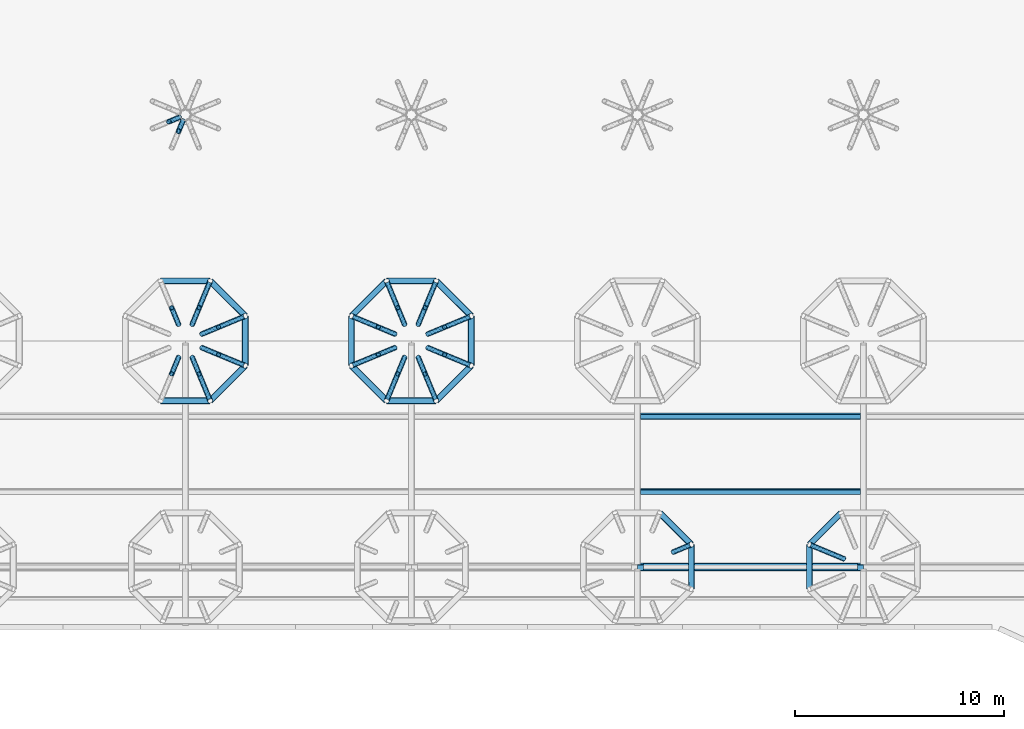
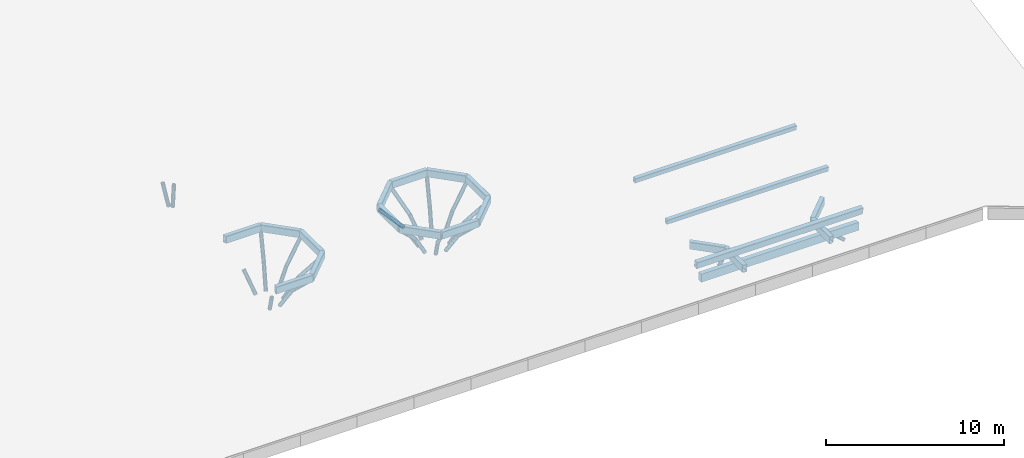
# One storey, part 9 of 56: 30 members, 21 beams.
"""IFC4 building model written with IfcOpenShell, lengths in metres."""

from ifc_helpers import new_model, si_unit, direction, frame, origin, origin_2d, place, context, subcontext, project, spatial, rectangle, hollow_rectangle, hollow_circle, extrude, clip, halfspace, material, material_profile, profile_set, type_object, element, save


model = new_model("IFC4")

# Units and contexts
model_context = context("Model", 3, precision=1e-05, world=origin(), true_north=direction((0.0, 1.0)))
body_context = subcontext(model_context, "Body", "Model", "MODEL_VIEW")
ifc_project = project(units=[si_unit("LENGTHUNIT", "METRE"), si_unit("AREAUNIT", "SQUARE_METRE"), si_unit("VOLUMEUNIT", "CUBIC_METRE"), si_unit("PLANEANGLEUNIT", "RADIAN"), si_unit("MASSUNIT", "GRAM", prefix="KILO")], contexts=[model_context])

# Site, building, storey
site_placement = place(None, origin())
site = spatial("IfcSite", under=ifc_project, at=site_placement, CompositionType="ELEMENT")
building_placement = place(site_placement, origin())
building = spatial("IfcBuilding", under=site, at=building_placement, Name="Magnolia Steps Interchange", CompositionType="ELEMENT")
storey_placement = place(building_placement, frame((0.0, 0.0, 8.699951171875)))
storey = spatial("IfcBuildingStorey", under=building, at=storey_placement, Name="L02", CompositionType="ELEMENT", Elevation=8.699951171875)

# Beams
ifc_material_1 = material(Name="Concrete C40", Category="concrete")
ifc_material_profile_1 = material_profile(ifc_material_1, rectangle(XDim=0.300048828125, YDim=0.550048828125, at=origin_2d()), Name="RC300x550")
ifc_profile_set_1 = profile_set([ifc_material_profile_1], Name="Concrete C40")
beam_type_1 = type_object("IfcBeamType", Name="Hall header sill beam 300x550", PredefinedType="BEAM", material=ifc_profile_set_1)
beam_1_placement = place(storey_placement, frame((96.679931640625, 42.39990234375, 1.02392578125), z_axis=(1.0, 0.0, 0.0), x_axis=(0.0, 1.0, 0.0)))
element("IfcBeam", 1, at=beam_1_placement, inside=storey, type_object=beam_type_1, Name="Hall header sill beam S5", PredefinedType="BEAM", context=body_context, shape_type="SweptSolid", body=[
    extrude(rectangle(XDim=0.300048828125, YDim=0.550048828125, at=origin_2d()), origin(), (0.0, 0.0, 1.0), 10.239990234375),
])
ifc_material_2 = material(Name="Steel Q355B", Category="steel")
ifc_material_profile_2 = material_profile(ifc_material_2, hollow_rectangle(XDim=0.300048828125, YDim=0.5, WallThickness=0.01611328125, InnerFilletRadius=0.01611328125, OuterFilletRadius=0.031982421875, at=origin_2d()), Name="RHS500x300x16")
ifc_profile_set_2 = profile_set([ifc_material_profile_2], Name="Steel Q355B")
beam_type_2 = type_object("IfcBeamType", Name="Ring beam RHS500x300x16", PredefinedType="BEAM", material=ifc_profile_set_2)
beam_2_placement = place(storey_placement, frame((77.6640625, 54.38623046875, 3.424560546875), z_axis=(-0.707106781187, 0.707106781187, 0.0), x_axis=(-0.707106781187, -0.707106781187, 0.0)))
element("IfcBeam", 2, at=beam_2_placement, inside=storey, type_object=beam_type_2, Name="Ring beam TH03B", PredefinedType="BEAM", context=body_context, shape_type="Clipping", body=[
    clip(clip(extrude(hollow_rectangle(XDim=0.300048828125, YDim=0.5, WallThickness=0.01611328125, InnerFilletRadius=0.01611328125, OuterFilletRadius=0.031982421875, at=origin_2d()), origin(), (0.0, 0.0, 1.0), 2.37255859375), halfspace(frame((0.0, 0.0, 0.0), z_axis=(0.382683433, 0.0, -0.923879532), x_axis=(0.923879532, 0.0, 0.382683433)), False)), halfspace(frame((0.0, 0.0, 2.372674707), z_axis=(0.382683433, 0.0, 0.923879532), x_axis=(0.923879532, 0.0, -0.382683433)), False)),
])
for number, where, z_axis, x_axis, name in (
    (3, (75.986328125, 56.06396484375, 3.424560546875), (-1.0, 0.0, 0.0), (0.0, -1.0, 0.0), "Ring beam TH03B"),
    (4, (73.61376953125, 50.3359375, 3.424560546875), (1.0, 0.0, 0.0), (0.0, 1.0, 0.0), "Ring beam TH03B"),
):
    element("IfcBeam", number, at=place(storey_placement, frame(where, z_axis=z_axis, x_axis=x_axis)), inside=storey, type_object=beam_type_2, Name=name, PredefinedType="BEAM", context=body_context, shape_type="Clipping", body=[
        clip(clip(extrude(hollow_rectangle(XDim=0.300048828125, YDim=0.5, WallThickness=0.01611328125, InnerFilletRadius=0.01611328125, OuterFilletRadius=0.031982421875, at=origin_2d()), origin(), (0.0, 0.0, 1.0), 2.37255859375), halfspace(frame((0.0, 0.0, 0.0), z_axis=(0.382683432, 0.0, -0.923879533), x_axis=(0.923879533, 0.0, 0.382683432)), False)), halfspace(frame((0.0, 0.0, 2.372558594), z_axis=(0.382683432, 0.0, 0.923879533), x_axis=(0.923879533, 0.0, -0.382683432)), False)),
    ])
beam_3_placement = place(storey_placement, frame((75.986328125, 50.3359375, 3.424560546875), z_axis=(0.707106781187, 0.707106781187, 0.0), x_axis=(-0.707106781187, 0.707106781187, 0.0)))
element("IfcBeam", 5, at=beam_3_placement, inside=storey, type_object=beam_type_2, Name="Ring beam TH03B", PredefinedType="BEAM", context=body_context, shape_type="Clipping", body=[
    clip(clip(extrude(hollow_rectangle(XDim=0.300048828125, YDim=0.5, WallThickness=0.01611328125, InnerFilletRadius=0.01611328125, OuterFilletRadius=0.031982421875, at=origin_2d()), origin(), (0.0, 0.0, 1.0), 2.37255859375), halfspace(frame((0.0, 0.0, 0.0), z_axis=(0.382683433, 0.0, -0.923879532), x_axis=(0.923879532, 0.0, 0.382683433)), False)), halfspace(frame((0.0, 0.0, 2.372674707), z_axis=(0.382683433, 0.0, 0.923879532), x_axis=(0.923879532, 0.0, -0.382683433)), False)),
])
beam_4_placement = place(storey_placement, frame((77.6640625, 52.013671875, 3.424560546875), z_axis=(0.0, 1.0, 0.0), x_axis=(-1.0, 0.0, 0.0)))
element("IfcBeam", 6, at=beam_4_placement, inside=storey, type_object=beam_type_2, Name="Ring beam TH03B", PredefinedType="BEAM", context=body_context, shape_type="Clipping", body=[
    clip(clip(extrude(hollow_rectangle(XDim=0.300048828125, YDim=0.5, WallThickness=0.01611328125, InnerFilletRadius=0.01611328125, OuterFilletRadius=0.031982421875, at=origin_2d()), origin(), (0.0, 0.0, 1.0), 2.37255859375), halfspace(frame((0.0, 0.0, 0.0), z_axis=(0.382683432, 0.0, -0.923879533), x_axis=(0.923879533, 0.0, 0.382683432)), False)), halfspace(frame((0.0, 0.0, 2.372558594), z_axis=(0.382683432, 0.0, 0.923879533), x_axis=(0.923879533, 0.0, -0.382683432)), False)),
])
beam_5_placement = place(storey_placement, frame((88.464111328125, 54.38623046875, 3.424560546875), z_axis=(-0.707106781187, 0.707106781187, 0.0), x_axis=(-0.707106781187, -0.707106781187, 0.0)))
element("IfcBeam", 7, at=beam_5_placement, inside=storey, type_object=beam_type_2, Name="Ring beam TH04B", PredefinedType="BEAM", context=body_context, shape_type="Clipping", body=[
    clip(clip(extrude(hollow_rectangle(XDim=0.300048828125, YDim=0.5, WallThickness=0.01611328125, InnerFilletRadius=0.01611328125, OuterFilletRadius=0.031982421875, at=origin_2d()), origin(), (0.0, 0.0, 1.0), 2.37255859375), halfspace(frame((0.0, 0.0, 0.0), z_axis=(0.382683433, 0.0, -0.923879532), x_axis=(0.923879532, 0.0, 0.382683433)), False)), halfspace(frame((0.0, 0.0, 2.372674707), z_axis=(0.382683433, 0.0, 0.923879532), x_axis=(0.923879532, 0.0, -0.382683433)), False)),
])
beam_6_placement = place(storey_placement, frame((86.786376953125, 56.06396484375, 3.424560546875), z_axis=(-1.0, 0.0, 0.0), x_axis=(0.0, -1.0, 0.0)))
element("IfcBeam", 8, at=beam_6_placement, inside=storey, type_object=beam_type_2, Name="Ring beam TH04B", PredefinedType="BEAM", context=body_context, shape_type="Clipping", body=[
    clip(clip(extrude(hollow_rectangle(XDim=0.300048828125, YDim=0.5, WallThickness=0.01611328125, InnerFilletRadius=0.01611328125, OuterFilletRadius=0.031982421875, at=origin_2d()), origin(), (0.0, 0.0, 1.0), 2.37255859375), halfspace(frame((0.0, 0.0, 0.0), z_axis=(0.382683432, 0.0, -0.923879533), x_axis=(0.923879533, 0.0, 0.382683432)), False)), halfspace(frame((0.0, 0.0, 2.372558594), z_axis=(0.382683432, 0.0, 0.923879533), x_axis=(0.923879533, 0.0, -0.382683432)), False)),
])
beam_7_placement = place(storey_placement, frame((84.413818359375, 56.06396484375, 3.424560546875), z_axis=(-0.707106781187, -0.707106781187, 0.0), x_axis=(0.707106781187, -0.707106781187, 0.0)))
element("IfcBeam", 9, at=beam_7_placement, inside=storey, type_object=beam_type_2, Name="Ring beam TH04B", PredefinedType="BEAM", context=body_context, shape_type="Clipping", body=[
    clip(clip(extrude(hollow_rectangle(XDim=0.300048828125, YDim=0.5, WallThickness=0.01611328125, InnerFilletRadius=0.01611328125, OuterFilletRadius=0.031982421875, at=origin_2d()), origin(), (0.0, 0.0, 1.0), 2.37255859375), halfspace(frame((0.0, 0.0, 0.0), z_axis=(0.382683433, 0.0, -0.923879532), x_axis=(0.923879532, 0.0, 0.382683433)), False)), halfspace(frame((0.0, 0.0, 2.372674707), z_axis=(0.382683433, 0.0, 0.923879532), x_axis=(0.923879532, 0.0, -0.382683433)), False)),
])
beam_8_placement = place(storey_placement, frame((82.736083984375, 54.38623046875, 3.424560546875), z_axis=(0.0, -1.0, 0.0), x_axis=(1.0, 0.0, 0.0)))
element("IfcBeam", 10, at=beam_8_placement, inside=storey, type_object=beam_type_2, Name="Ring beam TH04B", PredefinedType="BEAM", context=body_context, shape_type="Clipping", body=[
    clip(clip(extrude(hollow_rectangle(XDim=0.300048828125, YDim=0.5, WallThickness=0.01611328125, InnerFilletRadius=0.01611328125, OuterFilletRadius=0.031982421875, at=origin_2d()), origin(), (0.0, 0.0, 1.0), 2.37255859375), halfspace(frame((0.0, 0.0, 0.0), z_axis=(0.382683432, 0.0, -0.923879533), x_axis=(0.923879533, 0.0, 0.382683432)), False)), halfspace(frame((0.0, 0.0, 2.372558594), z_axis=(0.382683432, 0.0, 0.923879533), x_axis=(0.923879533, 0.0, -0.382683432)), False)),
])
beam_9_placement = place(storey_placement, frame((82.736083984375, 52.013671875, 3.424560546875), z_axis=(0.707106781187, -0.707106781187, 0.0), x_axis=(0.707106781187, 0.707106781187, 0.0)))
element("IfcBeam", 11, at=beam_9_placement, inside=storey, type_object=beam_type_2, Name="Ring beam TH04B", PredefinedType="BEAM", context=body_context, shape_type="Clipping", body=[
    clip(clip(extrude(hollow_rectangle(XDim=0.300048828125, YDim=0.5, WallThickness=0.01611328125, InnerFilletRadius=0.01611328125, OuterFilletRadius=0.031982421875, at=origin_2d()), origin(), (0.0, 0.0, 1.0), 2.37255859375), halfspace(frame((0.0, 0.0, 0.0), z_axis=(0.382683433, 0.0, -0.923879532), x_axis=(0.923879532, 0.0, 0.382683433)), False)), halfspace(frame((0.0, 0.0, 2.372674707), z_axis=(0.382683433, 0.0, 0.923879532), x_axis=(0.923879532, 0.0, -0.382683433)), False)),
])
beam_10_placement = place(storey_placement, frame((84.413818359375, 50.3359375, 3.424560546875), z_axis=(1.0, 0.0, 0.0), x_axis=(0.0, 1.0, 0.0)))
element("IfcBeam", 12, at=beam_10_placement, inside=storey, type_object=beam_type_2, Name="Ring beam TH04B", PredefinedType="BEAM", context=body_context, shape_type="Clipping", body=[
    clip(clip(extrude(hollow_rectangle(XDim=0.300048828125, YDim=0.5, WallThickness=0.01611328125, InnerFilletRadius=0.01611328125, OuterFilletRadius=0.031982421875, at=origin_2d()), origin(), (0.0, 0.0, 1.0), 2.37255859375), halfspace(frame((0.0, 0.0, 0.0), z_axis=(0.382683432, 0.0, -0.923879533), x_axis=(0.923879533, 0.0, 0.382683432)), False)), halfspace(frame((0.0, 0.0, 2.372558594), z_axis=(0.382683432, 0.0, 0.923879533), x_axis=(0.923879533, 0.0, -0.382683432)), False)),
])
beam_11_placement = place(storey_placement, frame((86.786376953125, 50.3359375, 3.424560546875), z_axis=(0.707106781187, 0.707106781187, 0.0), x_axis=(-0.707106781187, 0.707106781187, 0.0)))
element("IfcBeam", 13, at=beam_11_placement, inside=storey, type_object=beam_type_2, Name="Ring beam TH04B", PredefinedType="BEAM", context=body_context, shape_type="Clipping", body=[
    clip(clip(extrude(hollow_rectangle(XDim=0.300048828125, YDim=0.5, WallThickness=0.01611328125, InnerFilletRadius=0.01611328125, OuterFilletRadius=0.031982421875, at=origin_2d()), origin(), (0.0, 0.0, 1.0), 2.37255859375), halfspace(frame((0.0, 0.0, 0.0), z_axis=(0.382683433, 0.0, -0.923879532), x_axis=(0.923879532, 0.0, 0.382683433)), False)), halfspace(frame((0.0, 0.0, 2.372674707), z_axis=(0.382683433, 0.0, 0.923879532), x_axis=(0.923879532, 0.0, -0.382683433)), False)),
])
beam_12_placement = place(storey_placement, frame((88.464111328125, 52.013671875, 3.424560546875), z_axis=(0.0, 1.0, 0.0), x_axis=(-1.0, 0.0, 0.0)))
element("IfcBeam", 14, at=beam_12_placement, inside=storey, type_object=beam_type_2, Name="Ring beam TH04B", PredefinedType="BEAM", context=body_context, shape_type="Clipping", body=[
    clip(clip(extrude(hollow_rectangle(XDim=0.300048828125, YDim=0.5, WallThickness=0.01611328125, InnerFilletRadius=0.01611328125, OuterFilletRadius=0.031982421875, at=origin_2d()), origin(), (0.0, 0.0, 1.0), 2.37255859375), halfspace(frame((0.0, 0.0, 0.0), z_axis=(0.382683432, 0.0, -0.923879533), x_axis=(0.923879533, 0.0, 0.382683432)), False)), halfspace(frame((0.0, 0.0, 2.372558594), z_axis=(0.382683432, 0.0, 0.923879533), x_axis=(0.923879533, 0.0, -0.382683432)), False)),
])
beam_13_placement = place(storey_placement, frame((98.97998046875, 43.46875, 1.44873046875), z_axis=(-0.707106781187, 0.707106781187, 0.0), x_axis=(-0.707106781187, -0.707106781187, 0.0)))
element("IfcBeam", 15, at=beam_13_placement, inside=storey, type_object=beam_type_2, Name="Ring beam TH05A", PredefinedType="BEAM", context=body_context, shape_type="Clipping", body=[
    clip(clip(extrude(hollow_rectangle(XDim=0.300048828125, YDim=0.5, WallThickness=0.01611328125, InnerFilletRadius=0.01611328125, OuterFilletRadius=0.031982421875, at=origin_2d()), origin(), (0.0, 0.0, 1.0), 2.13720703125), halfspace(frame((0.0, 0.0, 0.0), z_axis=(0.382683433, 0.0, -0.923879532), x_axis=(0.923879532, 0.0, 0.382683433)), False)), halfspace(frame((0.0, 0.0, 2.137202625), z_axis=(0.382683433, 0.0, 0.923879532), x_axis=(0.923879532, 0.0, -0.382683433)), False)),
])
beam_14_placement = place(storey_placement, frame((98.97998046875, 41.331298828125, 1.44873046875), z_axis=(0.0, 1.0, 0.0), x_axis=(-1.0, 0.0, 0.0)))
element("IfcBeam", 16, at=beam_14_placement, inside=storey, type_object=beam_type_2, Name="Ring beam TH05A", PredefinedType="BEAM", context=body_context, shape_type="Clipping", body=[
    clip(clip(extrude(hollow_rectangle(XDim=0.300048828125, YDim=0.5, WallThickness=0.01611328125, InnerFilletRadius=0.01611328125, OuterFilletRadius=0.031982421875, at=origin_2d()), origin(), (0.0, 0.0, 1.0), 2.137451171875), halfspace(frame((0.0, 0.0, 0.0), z_axis=(0.382683432, 0.0, -0.923879533), x_axis=(0.923879533, 0.0, 0.382683432)), False)), halfspace(frame((0.0, 0.0, 2.137451172), z_axis=(0.382683432, 0.0, 0.923879533), x_axis=(0.923879533, 0.0, -0.382683432)), False)),
])
beam_15_placement = place(storey_placement, frame((106.13134765625, 44.97998046875, 1.44873046875), z_axis=(-0.707106781187, -0.707106781187, 0.0), x_axis=(0.707106781187, -0.707106781187, 0.0)))
element("IfcBeam", 17, at=beam_15_placement, inside=storey, type_object=beam_type_2, Name="Ring beam TH06A", PredefinedType="BEAM", context=body_context, shape_type="Clipping", body=[
    clip(clip(extrude(hollow_rectangle(XDim=0.300048828125, YDim=0.5, WallThickness=0.01611328125, InnerFilletRadius=0.01611328125, OuterFilletRadius=0.031982421875, at=origin_2d()), origin(), (0.0, 0.0, 1.0), 2.13720703125), halfspace(frame((0.0, 0.0, 0.0), z_axis=(0.382683433, 0.0, -0.923879532), x_axis=(0.923879532, 0.0, 0.382683433)), False)), halfspace(frame((0.0, 0.0, 2.137202625), z_axis=(0.382683433, 0.0, 0.923879532), x_axis=(0.923879532, 0.0, -0.382683433)), False)),
])
beam_16_placement = place(storey_placement, frame((104.6201171875, 43.46875, 1.44873046875), z_axis=(0.0, -1.0, 0.0), x_axis=(1.0, 0.0, 0.0)))
element("IfcBeam", 18, at=beam_16_placement, inside=storey, type_object=beam_type_2, Name="Ring beam TH06A", PredefinedType="BEAM", context=body_context, shape_type="Clipping", body=[
    clip(clip(extrude(hollow_rectangle(XDim=0.300048828125, YDim=0.5, WallThickness=0.01611328125, InnerFilletRadius=0.01611328125, OuterFilletRadius=0.031982421875, at=origin_2d()), origin(), (0.0, 0.0, 1.0), 2.137451171875), halfspace(frame((0.0, 0.0, 0.0), z_axis=(0.382683432, 0.0, -0.923879533), x_axis=(0.923879533, 0.0, 0.382683432)), False)), halfspace(frame((0.0, 0.0, 2.137451172), z_axis=(0.382683432, 0.0, 0.923879533), x_axis=(0.923879533, 0.0, -0.382683432)), False)),
])
ifc_material_3 = material(Name="Steel Q355B", Category="steel")
ifc_material_profile_3 = material_profile(ifc_material_3, hollow_rectangle(XDim=0.300048828125, YDim=0.5, WallThickness=0.01611328125, InnerFilletRadius=0.01611328125, OuterFilletRadius=0.031982421875, at=origin_2d()), Name="RHS500x300x16")
ifc_profile_set_3 = profile_set([ifc_material_profile_3], Name="Steel Q355B")
beam_type_3 = type_object("IfcBeamType", Name="Roof beam RHS500x300x16", PredefinedType="BEAM", material=ifc_profile_set_3)
beam_17_placement = place(storey_placement, frame((96.39990234375, 42.39990234375, 1.9931640625), z_axis=(1.0, 0.0, 0.0), x_axis=(0.0, 0.98367737698, 0.17994115154)))
element("IfcBeam", 19, at=beam_17_placement, inside=storey, type_object=beam_type_3, Name="Roof beam", PredefinedType="BEAM", context=body_context, shape_type="SweptSolid", body=[
    extrude(hollow_rectangle(XDim=0.300048828125, YDim=0.5, WallThickness=0.01611328125, InnerFilletRadius=0.01611328125, OuterFilletRadius=0.031982421875, at=origin_2d()), origin(), (0.0, 0.0, 1.0), 10.800048828125),
])
ifc_material_4 = material(Name="Steel Q355B", Category="steel")
ifc_material_profile_4 = material_profile(ifc_material_4, hollow_rectangle(XDim=0.25, YDim=0.35009765625, WallThickness=0.011962890625, InnerFilletRadius=0.011962890625, OuterFilletRadius=0.02392578125, at=origin_2d()), Name="RHS350x250x12")
ifc_profile_set_4 = profile_set([ifc_material_profile_4], Name="Steel Q355B")
beam_type_4 = type_object("IfcBeamType", Name="Roof joist RHS350x250x12", PredefinedType="BEAM", material=ifc_profile_set_4)
for number, where, z_axis, x_axis, name in (
    (20, (96.550048828125, 46.0, 2.727783203125), (1.0, 0.0, 0.0), (0.0, 0.98367737698, 0.17994115154), "Roof joist"),
    (21, (96.550048828125, 49.60009765625, 3.38623046875), (1.0, 0.0, 0.0), (0.0, 0.98367737698, 0.17994115154), "Roof joist"),
):
    element("IfcBeam", number, at=place(storey_placement, frame(where, z_axis=z_axis, x_axis=x_axis)), inside=storey, type_object=beam_type_4, Name=name, PredefinedType="BEAM", context=body_context, shape_type="SweptSolid", body=[
        extrude(hollow_rectangle(XDim=0.25, YDim=0.35009765625, WallThickness=0.011962890625, InnerFilletRadius=0.011962890625, OuterFilletRadius=0.02392578125, at=origin_2d()), origin(), (0.0, 0.0, 1.0), 10.5),
    ])

# Members
ifc_material_5 = material(Name="Steel Q355B", Category="steel")
ifc_material_profile_5 = material_profile(ifc_material_5, hollow_circle(Radius=0.12255859375, WallThickness=0.011962890625, at=origin_2d()), Name="CHS245x12")
ifc_profile_set_5 = profile_set([ifc_material_profile_5], Name="Steel Q355B")
member_type = type_object("IfcMemberType", Name="Tree rib CHS245x12", PredefinedType="USERDEFINED", material=ifc_profile_set_5)
member_1_placement = place(storey_placement, frame((75.58984375, 53.527099609375, 0.5615234375), z_axis=(0.489571014481, 0.202820124805, 0.848047297475), x_axis=(-0.382736860682, 0.923857399968, 0.0)))
element("IfcMember", 22, at=member_1_placement, inside=storey, type_object=member_type, Name="Tree rib TH03B", ObjectType="TREE RIB", PredefinedType="USERDEFINED", context=body_context, shape_type="SweptSolid", body=[
    extrude(hollow_circle(Radius=0.12255859375, WallThickness=0.011962890625, at=origin_2d()), origin(), (0.0, 0.0, 1.0), 1.6201171875),
])
member_2_placement = place(storey_placement, frame((76.383056640625, 53.855712890625, 1.935546875), z_axis=(0.664618271493, 0.27524595082, 0.694638193418), x_axis=(-0.382626535499, 0.923903097912, 0.0)))
element("IfcMember", 23, at=member_2_placement, inside=storey, type_object=member_type, Name="Tree rib TH03B", ObjectType="TREE RIB", PredefinedType="USERDEFINED", context=body_context, shape_type="SweptSolid", body=[
    extrude(hollow_circle(Radius=0.12255859375, WallThickness=0.011962890625, at=origin_2d()), origin(), (0.0, 0.0, 1.0), 1.927490234375),
])
member_3_placement = place(storey_placement, frame((75.127197265625, 53.98974609375, 0.5615234375), z_axis=(0.202820124805, 0.489571014481, 0.848047297475), x_axis=(-0.923857399968, 0.382736860682, 0.0)))
element("IfcMember", 24, at=member_3_placement, inside=storey, type_object=member_type, Name="Tree rib TH03B", ObjectType="TREE RIB", PredefinedType="USERDEFINED", context=body_context, shape_type="SweptSolid", body=[
    extrude(hollow_circle(Radius=0.12255859375, WallThickness=0.011962890625, at=origin_2d()), origin(), (0.0, 0.0, 1.0), 1.6201171875),
])
member_4_placement = place(storey_placement, frame((75.455810546875, 54.782958984375, 1.935546875), z_axis=(0.27524595082, 0.664618271493, 0.694638193418), x_axis=(-0.923903097912, 0.382626535499, 0.0)))
element("IfcMember", 25, at=member_4_placement, inside=storey, type_object=member_type, Name="Tree rib TH03B", ObjectType="TREE RIB", PredefinedType="USERDEFINED", context=body_context, shape_type="SweptSolid", body=[
    extrude(hollow_circle(Radius=0.12255859375, WallThickness=0.011962890625, at=origin_2d()), origin(), (0.0, 0.0, 1.0), 1.927490234375),
])
for number, where, z_axis, x_axis, name in (
    (26, (74.472900390625, 53.98974609375, 0.5615234375), (-0.202820124805, 0.489571014481, 0.848047297475), (-0.923857399968, -0.382736860682, 0.0), "Tree rib TH03B"),
    (27, (74.472900390625, 52.41015625, 0.5615234375), (-0.202820124805, -0.489571014481, 0.848047297475), (0.923857399968, -0.382736860682, 0.0), "Tree rib TH03B"),
    (28, (75.127197265625, 52.41015625, 0.5615234375), (0.202820124805, -0.489571014481, 0.848047297475), (0.923857399968, 0.382736860682, 0.0), "Tree rib TH03B"),
):
    element("IfcMember", number, at=place(storey_placement, frame(where, z_axis=z_axis, x_axis=x_axis)), inside=storey, type_object=member_type, Name=name, ObjectType="TREE RIB", PredefinedType="USERDEFINED", context=body_context, shape_type="SweptSolid", body=[
        extrude(hollow_circle(Radius=0.12255859375, WallThickness=0.011962890625, at=origin_2d()), origin(), (0.0, 0.0, 1.0), 1.6201171875),
    ])
member_5_placement = place(storey_placement, frame((75.455810546875, 51.616943359375, 1.935546875), z_axis=(0.27524595082, -0.664618271493, 0.694638193418), x_axis=(0.923903097912, 0.382626535499, 0.0)))
element("IfcMember", 29, at=member_5_placement, inside=storey, type_object=member_type, Name="Tree rib TH03B", ObjectType="TREE RIB", PredefinedType="USERDEFINED", context=body_context, shape_type="SweptSolid", body=[
    extrude(hollow_circle(Radius=0.12255859375, WallThickness=0.011962890625, at=origin_2d()), origin(), (0.0, 0.0, 1.0), 1.927490234375),
])
member_6_placement = place(storey_placement, frame((75.58984375, 52.872802734375, 0.5615234375), z_axis=(0.489571014481, -0.202820124805, 0.848047297475), x_axis=(0.382736860682, 0.923857399968, 0.0)))
element("IfcMember", 30, at=member_6_placement, inside=storey, type_object=member_type, Name="Tree rib TH03B", ObjectType="TREE RIB", PredefinedType="USERDEFINED", context=body_context, shape_type="SweptSolid", body=[
    extrude(hollow_circle(Radius=0.12255859375, WallThickness=0.011962890625, at=origin_2d()), origin(), (0.0, 0.0, 1.0), 1.6201171875),
])
member_7_placement = place(storey_placement, frame((76.383056640625, 52.544189453125, 1.935546875), z_axis=(0.664618271493, -0.27524595082, 0.694638193418), x_axis=(0.382626535499, 0.923903097912, 0.0)))
element("IfcMember", 31, at=member_7_placement, inside=storey, type_object=member_type, Name="Tree rib TH03B", ObjectType="TREE RIB", PredefinedType="USERDEFINED", context=body_context, shape_type="SweptSolid", body=[
    extrude(hollow_circle(Radius=0.12255859375, WallThickness=0.011962890625, at=origin_2d()), origin(), (0.0, 0.0, 1.0), 1.927490234375),
])
for number, where, z_axis, x_axis, name in (
    (32, (74.5048828125, 63.877685546875, 0.670166015625), (-0.254676188738, -0.105465608268, 0.961258052951), (0.382606875641, -0.923911239629, 0.0), "Tree rib TH03C"),
    (33, (74.677734375, 63.704833984375, 0.670166015625), (-0.105465608268, -0.254676188738, 0.961258052951), (0.923911239629, -0.382606875641, 0.0), "Tree rib TH03C"),
):
    element("IfcMember", number, at=place(storey_placement, frame(where, z_axis=z_axis, x_axis=x_axis)), inside=storey, type_object=member_type, Name=name, ObjectType="TREE RIB", PredefinedType="USERDEFINED", context=body_context, shape_type="SweptSolid", body=[
        extrude(hollow_circle(Radius=0.12255859375, WallThickness=0.011962890625, at=origin_2d()), origin(), (0.0, 0.0, 1.0), 1.942138671875),
    ])
member_8_placement = place(storey_placement, frame((86.389892578125, 53.527099609375, 0.5615234375), z_axis=(0.489571014481, 0.202820124805, 0.848047297475), x_axis=(-0.382736860682, 0.923857399968, 0.0)))
element("IfcMember", 34, at=member_8_placement, inside=storey, type_object=member_type, Name="Tree rib TH04B", ObjectType="TREE RIB", PredefinedType="USERDEFINED", context=body_context, shape_type="SweptSolid", body=[
    extrude(hollow_circle(Radius=0.12255859375, WallThickness=0.011962890625, at=origin_2d()), origin(), (0.0, 0.0, 1.0), 1.6201171875),
])
member_9_placement = place(storey_placement, frame((87.18310546875, 53.855712890625, 1.935546875), z_axis=(0.664618271493, 0.27524595082, 0.694638193418), x_axis=(-0.382626535499, 0.923903097912, 0.0)))
element("IfcMember", 35, at=member_9_placement, inside=storey, type_object=member_type, Name="Tree rib TH04B", ObjectType="TREE RIB", PredefinedType="USERDEFINED", context=body_context, shape_type="SweptSolid", body=[
    extrude(hollow_circle(Radius=0.12255859375, WallThickness=0.011962890625, at=origin_2d()), origin(), (0.0, 0.0, 1.0), 1.927490234375),
])
member_10_placement = place(storey_placement, frame((85.927001953125, 53.98974609375, 0.5615234375), z_axis=(0.202820124805, 0.489571014481, 0.848047297475), x_axis=(-0.923857399968, 0.382736860682, 0.0)))
element("IfcMember", 36, at=member_10_placement, inside=storey, type_object=member_type, Name="Tree rib TH04B", ObjectType="TREE RIB", PredefinedType="USERDEFINED", context=body_context, shape_type="SweptSolid", body=[
    extrude(hollow_circle(Radius=0.12255859375, WallThickness=0.011962890625, at=origin_2d()), origin(), (0.0, 0.0, 1.0), 1.6201171875),
])
member_11_placement = place(storey_placement, frame((86.255615234375, 54.782958984375, 1.935546875), z_axis=(0.275363014751, 0.664595095858, 0.694613970971), x_axis=(-0.923840843106, 0.382776823501, 0.0)))
element("IfcMember", 37, at=member_11_placement, inside=storey, type_object=member_type, Name="Tree rib TH04B", ObjectType="TREE RIB", PredefinedType="USERDEFINED", context=body_context, shape_type="SweptSolid", body=[
    extrude(hollow_circle(Radius=0.12255859375, WallThickness=0.011962890625, at=origin_2d()), origin(), (0.0, 0.0, 1.0), 1.927490234375),
])
member_12_placement = place(storey_placement, frame((85.27294921875, 53.98974609375, 0.5615234375), z_axis=(-0.202820124805, 0.489571014481, 0.848047297475), x_axis=(-0.923857399968, -0.382736860682, 0.0)))
element("IfcMember", 38, at=member_12_placement, inside=storey, type_object=member_type, Name="Tree rib TH04B", ObjectType="TREE RIB", PredefinedType="USERDEFINED", context=body_context, shape_type="SweptSolid", body=[
    extrude(hollow_circle(Radius=0.12255859375, WallThickness=0.011962890625, at=origin_2d()), origin(), (0.0, 0.0, 1.0), 1.6201171875),
])
member_13_placement = place(storey_placement, frame((84.9443359375, 54.782958984375, 1.935546875), z_axis=(-0.27524595082, 0.664618271493, 0.694638193418), x_axis=(-0.923903097912, -0.382626535499, 0.0)))
element("IfcMember", 39, at=member_13_placement, inside=storey, type_object=member_type, Name="Tree rib TH04B", ObjectType="TREE RIB", PredefinedType="USERDEFINED", context=body_context, shape_type="SweptSolid", body=[
    extrude(hollow_circle(Radius=0.12255859375, WallThickness=0.011962890625, at=origin_2d()), origin(), (0.0, 0.0, 1.0), 1.927490234375),
])
member_14_placement = place(storey_placement, frame((84.810302734375, 53.527099609375, 0.5615234375), z_axis=(-0.489571014481, 0.202820124805, 0.848047297475), x_axis=(-0.382736860682, -0.923857399968, 0.0)))
element("IfcMember", 40, at=member_14_placement, inside=storey, type_object=member_type, Name="Tree rib TH04B", ObjectType="TREE RIB", PredefinedType="USERDEFINED", context=body_context, shape_type="SweptSolid", body=[
    extrude(hollow_circle(Radius=0.12255859375, WallThickness=0.011962890625, at=origin_2d()), origin(), (0.0, 0.0, 1.0), 1.6201171875),
])
member_15_placement = place(storey_placement, frame((84.01708984375, 53.855712890625, 1.935546875), z_axis=(-0.664618271493, 0.27524595082, 0.694638193418), x_axis=(-0.382626535499, -0.923903097912, 0.0)))
element("IfcMember", 41, at=member_15_placement, inside=storey, type_object=member_type, Name="Tree rib TH04B", ObjectType="TREE RIB", PredefinedType="USERDEFINED", context=body_context, shape_type="SweptSolid", body=[
    extrude(hollow_circle(Radius=0.12255859375, WallThickness=0.011962890625, at=origin_2d()), origin(), (0.0, 0.0, 1.0), 1.927490234375),
])
member_16_placement = place(storey_placement, frame((84.810302734375, 52.872802734375, 0.5615234375), z_axis=(-0.489571014481, -0.202820124805, 0.848047297475), x_axis=(0.382736860682, -0.923857399968, 0.0)))
element("IfcMember", 42, at=member_16_placement, inside=storey, type_object=member_type, Name="Tree rib TH04B", ObjectType="TREE RIB", PredefinedType="USERDEFINED", context=body_context, shape_type="SweptSolid", body=[
    extrude(hollow_circle(Radius=0.12255859375, WallThickness=0.011962890625, at=origin_2d()), origin(), (0.0, 0.0, 1.0), 1.6201171875),
])
member_17_placement = place(storey_placement, frame((84.01708984375, 52.544189453125, 1.935546875), z_axis=(-0.664618271493, -0.27524595082, 0.694638193418), x_axis=(0.382626535499, -0.923903097912, 0.0)))
element("IfcMember", 43, at=member_17_placement, inside=storey, type_object=member_type, Name="Tree rib TH04B", ObjectType="TREE RIB", PredefinedType="USERDEFINED", context=body_context, shape_type="SweptSolid", body=[
    extrude(hollow_circle(Radius=0.12255859375, WallThickness=0.011962890625, at=origin_2d()), origin(), (0.0, 0.0, 1.0), 1.927490234375),
])
member_18_placement = place(storey_placement, frame((85.27294921875, 52.41015625, 0.5615234375), z_axis=(-0.202820124805, -0.489571014481, 0.848047297475), x_axis=(0.923857399968, -0.382736860682, 0.0)))
element("IfcMember", 44, at=member_18_placement, inside=storey, type_object=member_type, Name="Tree rib TH04B", ObjectType="TREE RIB", PredefinedType="USERDEFINED", context=body_context, shape_type="SweptSolid", body=[
    extrude(hollow_circle(Radius=0.12255859375, WallThickness=0.011962890625, at=origin_2d()), origin(), (0.0, 0.0, 1.0), 1.6201171875),
])
member_19_placement = place(storey_placement, frame((84.9443359375, 51.616943359375, 1.935546875), z_axis=(-0.27524595082, -0.664618271493, 0.694638193418), x_axis=(0.923903097912, -0.382626535499, 0.0)))
element("IfcMember", 45, at=member_19_placement, inside=storey, type_object=member_type, Name="Tree rib TH04B", ObjectType="TREE RIB", PredefinedType="USERDEFINED", context=body_context, shape_type="SweptSolid", body=[
    extrude(hollow_circle(Radius=0.12255859375, WallThickness=0.011962890625, at=origin_2d()), origin(), (0.0, 0.0, 1.0), 1.927490234375),
])
member_20_placement = place(storey_placement, frame((85.927001953125, 52.41015625, 0.5615234375), z_axis=(0.202820124805, -0.489571014481, 0.848047297475), x_axis=(0.923857399968, 0.382736860682, 0.0)))
element("IfcMember", 46, at=member_20_placement, inside=storey, type_object=member_type, Name="Tree rib TH04B", ObjectType="TREE RIB", PredefinedType="USERDEFINED", context=body_context, shape_type="SweptSolid", body=[
    extrude(hollow_circle(Radius=0.12255859375, WallThickness=0.011962890625, at=origin_2d()), origin(), (0.0, 0.0, 1.0), 1.6201171875),
])
member_21_placement = place(storey_placement, frame((86.255615234375, 51.616943359375, 1.935546875), z_axis=(0.275363014751, -0.664595095858, 0.694613970971), x_axis=(0.923840843106, 0.382776823501, 0.0)))
element("IfcMember", 47, at=member_21_placement, inside=storey, type_object=member_type, Name="Tree rib TH04B", ObjectType="TREE RIB", PredefinedType="USERDEFINED", context=body_context, shape_type="SweptSolid", body=[
    extrude(hollow_circle(Radius=0.12255859375, WallThickness=0.011962890625, at=origin_2d()), origin(), (0.0, 0.0, 1.0), 1.927490234375),
])
member_22_placement = place(storey_placement, frame((86.389892578125, 52.872802734375, 0.5615234375), z_axis=(0.489571014481, -0.202820124805, 0.848047297475), x_axis=(0.382736860682, 0.923857399968, 0.0)))
element("IfcMember", 48, at=member_22_placement, inside=storey, type_object=member_type, Name="Tree rib TH04B", ObjectType="TREE RIB", PredefinedType="USERDEFINED", context=body_context, shape_type="SweptSolid", body=[
    extrude(hollow_circle(Radius=0.12255859375, WallThickness=0.011962890625, at=origin_2d()), origin(), (0.0, 0.0, 1.0), 1.6201171875),
])
member_23_placement = place(storey_placement, frame((87.18310546875, 52.544189453125, 1.935546875), z_axis=(0.664618271493, -0.27524595082, 0.694638193418), x_axis=(0.382626535499, 0.923903097912, 0.0)))
element("IfcMember", 49, at=member_23_placement, inside=storey, type_object=member_type, Name="Tree rib TH04B", ObjectType="TREE RIB", PredefinedType="USERDEFINED", context=body_context, shape_type="SweptSolid", body=[
    extrude(hollow_circle(Radius=0.12255859375, WallThickness=0.011962890625, at=origin_2d()), origin(), (0.0, 0.0, 1.0), 1.927490234375),
])
member_24_placement = place(storey_placement, frame((98.105224609375, 43.106201171875, 0.384521484375), z_axis=(0.664566115613, 0.275434184115, 0.694613481153), x_axis=(-0.382875502946, 0.923799950879, 0.0)))
element("IfcMember", 50, at=member_24_placement, inside=storey, type_object=member_type, Name="Tree rib TH05A", ObjectType="TREE RIB", PredefinedType="USERDEFINED", context=body_context, shape_type="SweptSolid", body=[
    extrude(hollow_circle(Radius=0.12255859375, WallThickness=0.011962890625, at=origin_2d()), origin(), (0.0, 0.0, 1.0), 1.316162109375),
])
member_25_placement = place(storey_placement, frame((106.2783203125, 42.78173828125, 0.00048828125), z_axis=(-0.748541743184, 0.310129043775, 0.586093196445), x_axis=(-0.382760229587, -0.923847718321, 0.0)))
element("IfcMember", 51, at=member_25_placement, inside=storey, type_object=member_type, Name="Tree rib TH06A", ObjectType="TREE RIB", PredefinedType="USERDEFINED", context=body_context, shape_type="SweptSolid", body=[
    extrude(hollow_circle(Radius=0.12255859375, WallThickness=0.011962890625, at=origin_2d()), origin(), (0.0, 0.0, 1.0), 2.21533203125),
])

save(model, "model.ifc")
